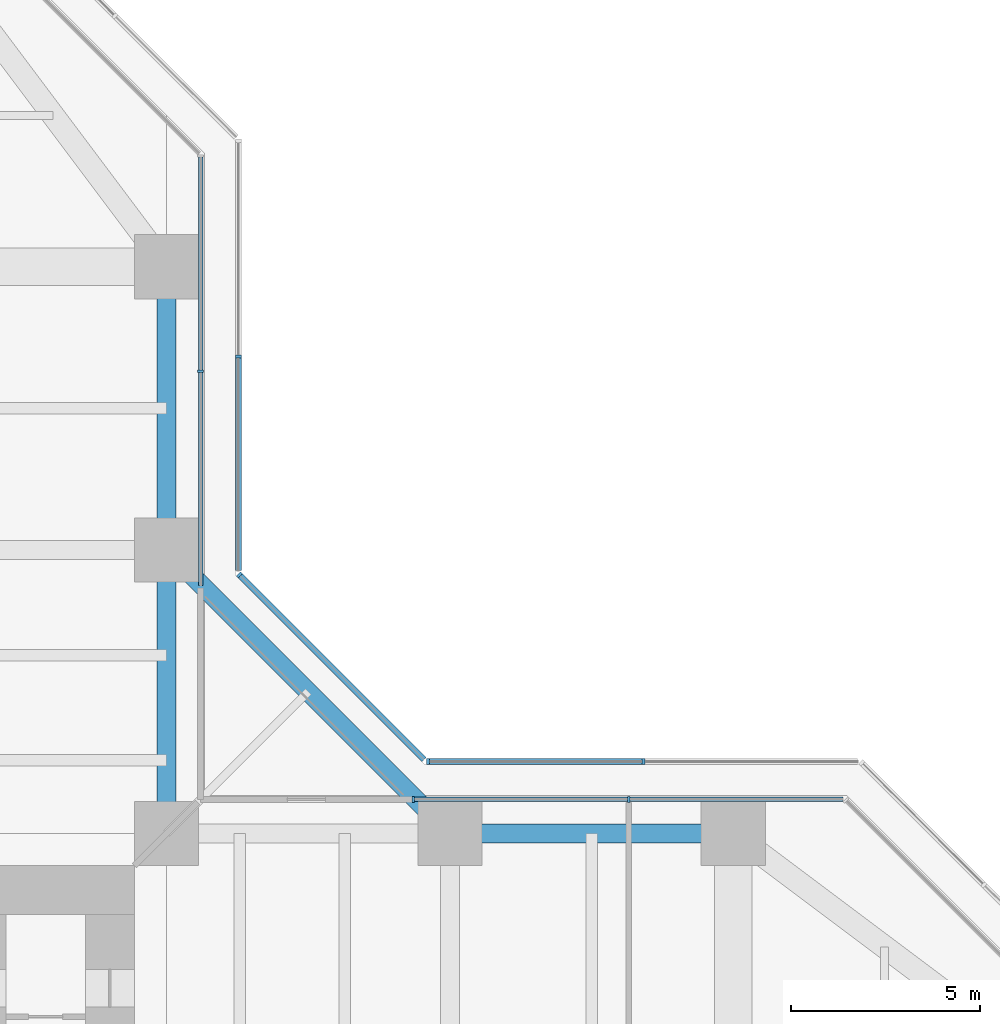
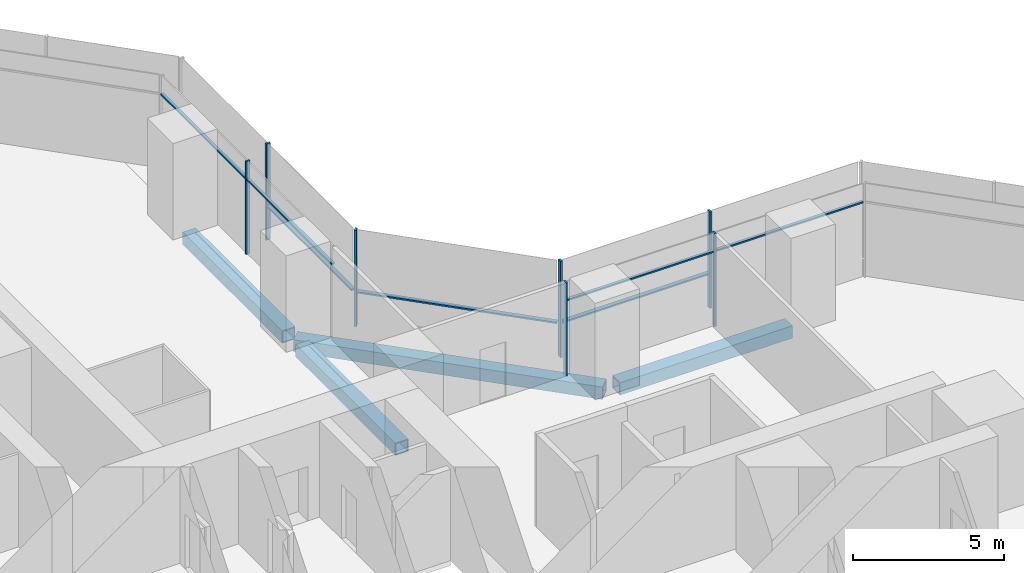
# One storey, part 11 of 22: 14 members, 4 beams, 5 elements without a shape of their own.
"""IFC4 building model written with IfcOpenShell, lengths in metres."""

from ifc_helpers import new_model, si_unit, direction, frame, origin, origin_2d, place, context, subcontext, project, spatial, rectangle, hollow_rectangle, extrude, material, material_profile, profile_set, type_object, element, aggregate, save


model = new_model("IFC4")

# Units and contexts
model_context = context("Model", 3, precision=1e-05, world=origin(), true_north=direction((0.0, 1.0)))
body_context = subcontext(model_context, "Body", "Model", "MODEL_VIEW")
ifc_project = project(units=[si_unit("LENGTHUNIT", "METRE"), si_unit("AREAUNIT", "SQUARE_METRE"), si_unit("VOLUMEUNIT", "CUBIC_METRE"), si_unit("PLANEANGLEUNIT", "RADIAN"), si_unit("MASSUNIT", "GRAM", prefix="KILO")], contexts=[model_context])

# Site, building, storey
site_placement = place(None, origin())
site = spatial("IfcSite", under=ifc_project, at=site_placement, CompositionType="ELEMENT")
building_placement = place(site_placement, origin())
building = spatial("IfcBuilding", under=site, at=building_placement, Name="Mizan Broadcast Tower", CompositionType="ELEMENT")
storey_placement = place(building_placement, frame((0.0, 0.0, 59.10009765625)))
storey = spatial("IfcBuildingStorey", under=building, at=storey_placement, Name="L11", CompositionType="ELEMENT", Elevation=59.10009765625)

# Beams
ifc_material_1 = material(Name="Steel S355", Category="steel")
ifc_material_profile_1 = material_profile(ifc_material_1, hollow_rectangle(XDim=0.5, YDim=0.5, WallThickness=0.030029296875, at=origin_2d()), Name="BOX 500x500x30")
ifc_profile_set_1 = profile_set([ifc_material_profile_1], Name="Steel S355")
beam_type = type_object("IfcBeamType", Name="EDGE BEAM BOX 500x500x30", PredefinedType="SPANDREL", material=ifc_profile_set_1)
for number, where, z_axis, x_axis, name in (
    (1, (19.949951171875, 12.0, -0.380126953125), (1.0, 0.0, 0.0), (0.0, 1.0, 0.0), "Edge beam BOX 500x500x30 L11 east arm"),
    (2, (12.0, 12.449951171875, -0.380126953125), (0.0, 1.0, 0.0), (-1.0, 0.0, 0.0), "Edge beam BOX 500x500x30 L11 north arm"),
    (3, (12.0, 19.949951171875, -0.380126953125), (0.0, 1.0, 0.0), (-1.0, 0.0, 0.0), "Edge beam BOX 500x500x30 L11 north arm"),
):
    element("IfcBeam", number, at=place(storey_placement, frame(where, z_axis=z_axis, x_axis=x_axis)), inside=storey, type_object=beam_type, Name=name, PredefinedType="SPANDREL", context=body_context, shape_type="SweptSolid", body=[
        extrude(hollow_rectangle(XDim=0.5, YDim=0.5, WallThickness=0.030029296875, at=origin_2d()), origin(), (0.0, 0.0, 1.0), 6.60009765625),
    ])
beam_placement = place(storey_placement, frame((19.5, 12.0, -0.380126953125), z_axis=(-0.707106781187, 0.707106781187, 0.0), x_axis=(-0.707106781187, -0.707106781187, 0.0)))
element("IfcBeam", 4, at=beam_placement, inside=storey, type_object=beam_type, Name="Winter garden edge beam L11 E", PredefinedType="SPANDREL", context=body_context, shape_type="SweptSolid", body=[
    extrude(hollow_rectangle(XDim=0.5, YDim=0.5, WallThickness=0.030029296875, at=origin_2d()), origin(), (0.0, 0.0, 1.0), 10.606689453125),
])

# Curtain wall, members
ifc_material_2 = material(Name="Aluminium framed glazing", Category="aluminium")
curtain_wall_type_1 = type_object("IfcCurtainWallType", Name="INNER SKIN LOW ZONE", PredefinedType="USERDEFINED", material=ifc_material_2)
curtain_wall_1_placement = place(storey_placement, origin())
curtain_wall_1 = element("IfcCurtainWall", 5, at=curtain_wall_1_placement, inside=storey, type_object=curtain_wall_type_1, Name="Inner skin low zone L11 E side", ObjectType="INNER SKIN LOW ZONE", PredefinedType="USERDEFINED")
ifc_material_3 = material(Name="Aluminium, pale anodised", Category="aluminium")
ifc_material_profile_2 = material_profile(ifc_material_3, rectangle(XDim=0.159912109375, YDim=0.06005859375, at=origin_2d()), Name="MULLION 160x60")
ifc_profile_set_2 = profile_set([ifc_material_profile_2], Name="Aluminium, pale anodised")
member_type_1 = type_object("IfcMemberType", Name="INNER SKIN MULLION 60x160", PredefinedType="MULLION", material=ifc_profile_set_2)
member_1_placement = place(storey_placement, frame((24.229248046875, 12.89990234375, 0.0), z_axis=(0.0, 0.0, 1.0), x_axis=(0.0, -1.0, 0.0)))
member_1 = element("IfcMember", 6, at=member_1_placement, type_object=member_type_1, Name="Inner skin low zone L11 E side mullion 2", PredefinedType="MULLION", context=body_context, shape_type="SweptSolid", body=[
    extrude(rectangle(XDim=0.159912109375, YDim=0.06005859375, at=origin_2d()), origin(), (0.0, 0.0, 1.0), 3.77001953125),
])
member_2_placement = place(storey_placement, frame((18.530029296875, 12.89990234375, 0.0), z_axis=(0.0, 0.0, 1.0), x_axis=(0.0, -1.0, 0.0)))
member_2 = element("IfcMember", 7, at=member_2_placement, type_object=member_type_1, Name="Inner skin low zone L11 E side mullion 3", PredefinedType="MULLION", context=body_context, shape_type="SweptSolid", body=[
    extrude(rectangle(XDim=0.159912109375, YDim=0.06005859375, at=origin_2d()), origin(), (0.0, 0.0, 1.0), 3.77001953125),
])

# Curtain wall, member
curtain_wall_2_placement = place(storey_placement, origin())
curtain_wall_2 = element("IfcCurtainWall", 8, at=curtain_wall_2_placement, inside=storey, type_object=curtain_wall_type_1, Name="Inner skin low zone L11 N side", ObjectType="INNER SKIN LOW ZONE", PredefinedType="USERDEFINED")
member_3_placement = place(storey_placement, frame((12.89990234375, 24.229248046875, 0.0), z_axis=(0.0, 0.0, 1.0), x_axis=(-1.0, 0.0, 0.0)))
member_3 = element("IfcMember", 9, at=member_3_placement, type_object=member_type_1, Name="Inner skin low zone L11 N side mullion 2", PredefinedType="MULLION", context=body_context, shape_type="SweptSolid", body=[
    extrude(rectangle(XDim=0.159912109375, YDim=0.06005859375, at=origin_2d()), origin(), (0.0, 0.0, 1.0), 3.77001953125),
])

# Member
ifc_material_4 = material(Name="Aluminium, pale anodised", Category="aluminium")
ifc_material_profile_3 = material_profile(ifc_material_4, rectangle(XDim=0.1201171875, YDim=0.06005859375, at=origin_2d()), Name="TRANSOM 120x60")
ifc_profile_set_3 = profile_set([ifc_material_profile_3], Name="Aluminium, pale anodised")
member_type_2 = type_object("IfcMemberType", Name="INNER SKIN TRANSOM 60x120", PredefinedType="USERDEFINED", material=ifc_profile_set_3)
member_4_placement = place(storey_placement, frame((29.898681640625, 12.89990234375, 3.02978515625), z_axis=(-1.0, 0.0, 0.0), x_axis=(0.0, -1.0, 0.0)))
member_4 = element("IfcMember", 10, at=member_4_placement, type_object=member_type_2, Name="Inner skin low zone L11 E side transom 1.1", ObjectType="TRANSOM", PredefinedType="USERDEFINED", context=body_context, shape_type="SweptSolid", body=[
    extrude(rectangle(XDim=0.1201171875, YDim=0.06005859375, at=origin_2d()), origin(), (0.0, 0.0, 1.0), 5.639404296875),
])

member_5_placement = place(storey_placement, frame((24.19921875, 12.89990234375, 3.02978515625), z_axis=(-1.0, 0.0, 0.0), x_axis=(0.0, -1.0, 0.0)))
member_5 = element("IfcMember", 11, at=member_5_placement, type_object=member_type_2, Name="Inner skin low zone L11 E side transom 2.1", ObjectType="TRANSOM", PredefinedType="USERDEFINED", context=body_context, shape_type="SweptSolid", body=[
    extrude(rectangle(XDim=0.1201171875, YDim=0.06005859375, at=origin_2d()), origin(), (0.0, 0.0, 1.0), 5.63916015625),
])

aggregate(curtain_wall_1, [member_1, member_2, member_4, member_5])

member_6_placement = place(storey_placement, frame((12.89990234375, 18.56005859375, 3.02978515625), z_axis=(0.0, 1.0, 0.0), x_axis=(-1.0, 0.0, 0.0)))
member_6 = element("IfcMember", 12, at=member_6_placement, type_object=member_type_2, Name="Inner skin low zone L11 N side transom 1.1", ObjectType="TRANSOM", PredefinedType="USERDEFINED", context=body_context, shape_type="SweptSolid", body=[
    extrude(rectangle(XDim=0.1201171875, YDim=0.06005859375, at=origin_2d()), origin(), (0.0, 0.0, 1.0), 5.63916015625),
])

member_7_placement = place(storey_placement, frame((12.89990234375, 24.25927734375, 3.02978515625), z_axis=(0.0, 1.0, 0.0), x_axis=(-1.0, 0.0, 0.0)))
member_7 = element("IfcMember", 13, at=member_7_placement, type_object=member_type_2, Name="Inner skin low zone L11 N side transom 2.1", ObjectType="TRANSOM", PredefinedType="USERDEFINED", context=body_context, shape_type="SweptSolid", body=[
    extrude(rectangle(XDim=0.1201171875, YDim=0.06005859375, at=origin_2d()), origin(), (0.0, 0.0, 1.0), 5.639404296875),
])

aggregate(curtain_wall_2, [member_3, member_6, member_7])

# Curtain wall, members
ifc_material_5 = material(Name="Aluminium framed glazing", Category="aluminium")
curtain_wall_type_2 = type_object("IfcCurtainWallType", Name="OUTER SKIN", PredefinedType="USERDEFINED", material=ifc_material_5)
curtain_wall_3_placement = place(storey_placement, origin())
curtain_wall_3 = element("IfcCurtainWall", 14, at=curtain_wall_3_placement, inside=storey, type_object=curtain_wall_type_2, Name="Outer skin L11 E side", ObjectType="OUTER SKIN", PredefinedType="USERDEFINED")
ifc_material_6 = material(Name="Aluminium, pale anodised", Category="aluminium")
ifc_material_profile_4 = material_profile(ifc_material_6, rectangle(XDim=0.159912109375, YDim=0.080078125, at=origin_2d()), Name="MULLION 160x80")
ifc_profile_set_4 = profile_set([ifc_material_profile_4], Name="Aluminium, pale anodised")
member_type_3 = type_object("IfcMemberType", Name="OUTER SKIN MULLION 80x160", PredefinedType="MULLION", material=ifc_profile_set_4)
member_8_placement = place(storey_placement, frame((24.622802734375, 13.89990234375, 0.0), z_axis=(0.0, 0.0, 1.0), x_axis=(0.0, -1.0, 0.0)))
member_8 = element("IfcMember", 15, at=member_8_placement, type_object=member_type_3, Name="Outer skin L11 E side mullion 2", PredefinedType="MULLION", context=body_context, shape_type="SweptSolid", body=[
    extrude(rectangle(XDim=0.159912109375, YDim=0.080078125, at=origin_2d()), origin(), (0.0, 0.0, 1.0), 3.89990234375),
])
member_9_placement = place(storey_placement, frame((18.912841796875, 13.89990234375, 0.0), z_axis=(0.0, 0.0, 1.0), x_axis=(0.0, -1.0, 0.0)))
member_9 = element("IfcMember", 16, at=member_9_placement, type_object=member_type_3, Name="Outer skin L11 E side mullion 3", PredefinedType="MULLION", context=body_context, shape_type="SweptSolid", body=[
    extrude(rectangle(XDim=0.159912109375, YDim=0.080078125, at=origin_2d()), origin(), (0.0, 0.0, 1.0), 3.89990234375),
])

# Curtain wall, member
curtain_wall_4_placement = place(storey_placement, origin())
curtain_wall_4 = element("IfcCurtainWall", 17, at=curtain_wall_4_placement, inside=storey, type_object=curtain_wall_type_2, Name="Outer skin L11 E chamfer", ObjectType="OUTER SKIN", PredefinedType="USERDEFINED")
member_10_placement = place(storey_placement, frame((13.92822265625, 18.844482421875, 0.0), z_axis=(0.0, 0.0, 1.0), x_axis=(-0.707106781187, -0.707106781187, 0.0)))
member_10 = element("IfcMember", 18, at=member_10_placement, type_object=member_type_3, Name="Outer skin L11 E chamfer mullion 2", PredefinedType="MULLION", context=body_context, shape_type="SweptSolid", body=[
    extrude(rectangle(XDim=0.159912109375, YDim=0.080078125, at=origin_2d()), origin(), (0.0, 0.0, 1.0), 3.89990234375),
])

curtain_wall_5_placement = place(storey_placement, origin())
curtain_wall_5 = element("IfcCurtainWall", 19, at=curtain_wall_5_placement, inside=storey, type_object=curtain_wall_type_2, Name="Outer skin L11 N side", ObjectType="OUTER SKIN", PredefinedType="USERDEFINED")
member_11_placement = place(storey_placement, frame((13.89990234375, 24.622802734375, 0.0), z_axis=(0.0, 0.0, 1.0), x_axis=(-1.0, 0.0, 0.0)))
member_11 = element("IfcMember", 20, at=member_11_placement, type_object=member_type_3, Name="Outer skin L11 N side mullion 2", PredefinedType="MULLION", context=body_context, shape_type="SweptSolid", body=[
    extrude(rectangle(XDim=0.159912109375, YDim=0.080078125, at=origin_2d()), origin(), (0.0, 0.0, 1.0), 3.89990234375),
])

# Member
ifc_material_7 = material(Name="Aluminium, pale anodised", Category="aluminium")
ifc_material_profile_5 = material_profile(ifc_material_7, rectangle(XDim=0.159912109375, YDim=0.06005859375, at=origin_2d()), Name="TRANSOM 160x60")
ifc_profile_set_5 = profile_set([ifc_material_profile_5], Name="Aluminium, pale anodised")
member_type_4 = type_object("IfcMemberType", Name="OUTER SKIN TRANSOM 60x160", PredefinedType="USERDEFINED", material=ifc_profile_set_5)
member_12_placement = place(storey_placement, frame((24.582763671875, 13.89990234375, 1.39990234375), z_axis=(-1.0, 0.0, 0.0), x_axis=(0.0, -1.0, 0.0)))
member_12 = element("IfcMember", 21, at=member_12_placement, type_object=member_type_4, Name="Outer skin L11 E side transom 2.1", ObjectType="TRANSOM", PredefinedType="USERDEFINED", context=body_context, shape_type="SweptSolid", body=[
    extrude(rectangle(XDim=0.159912109375, YDim=0.06005859375, at=origin_2d()), origin(), (0.0, 0.0, 1.0), 5.6298828125),
])

aggregate(curtain_wall_3, [member_8, member_9, member_12])

member_13_placement = place(storey_placement, frame((18.816162109375, 13.95654296875, 1.39990234375), z_axis=(-0.707106781187, 0.707106781187, 0.0), x_axis=(-0.707106781187, -0.707106781187, 0.0)))
member_13 = element("IfcMember", 22, at=member_13_placement, type_object=member_type_4, Name="Outer skin L11 E chamfer transom 1.1", ObjectType="TRANSOM", PredefinedType="USERDEFINED", context=body_context, shape_type="SweptSolid", body=[
    extrude(rectangle(XDim=0.159912109375, YDim=0.06005859375, at=origin_2d()), origin(), (0.0, 0.0, 1.0), 6.87255859375),
])

aggregate(curtain_wall_4, [member_10, member_13])

member_14_placement = place(storey_placement, frame((13.89990234375, 18.952880859375, 1.39990234375), z_axis=(0.0, 1.0, 0.0), x_axis=(-1.0, 0.0, 0.0)))
member_14 = element("IfcMember", 23, at=member_14_placement, type_object=member_type_4, Name="Outer skin L11 N side transom 1.1", ObjectType="TRANSOM", PredefinedType="USERDEFINED", context=body_context, shape_type="SweptSolid", body=[
    extrude(rectangle(XDim=0.159912109375, YDim=0.06005859375, at=origin_2d()), origin(), (0.0, 0.0, 1.0), 5.6298828125),
])

aggregate(curtain_wall_5, [member_11, member_14])

save(model, "model.ifc")
